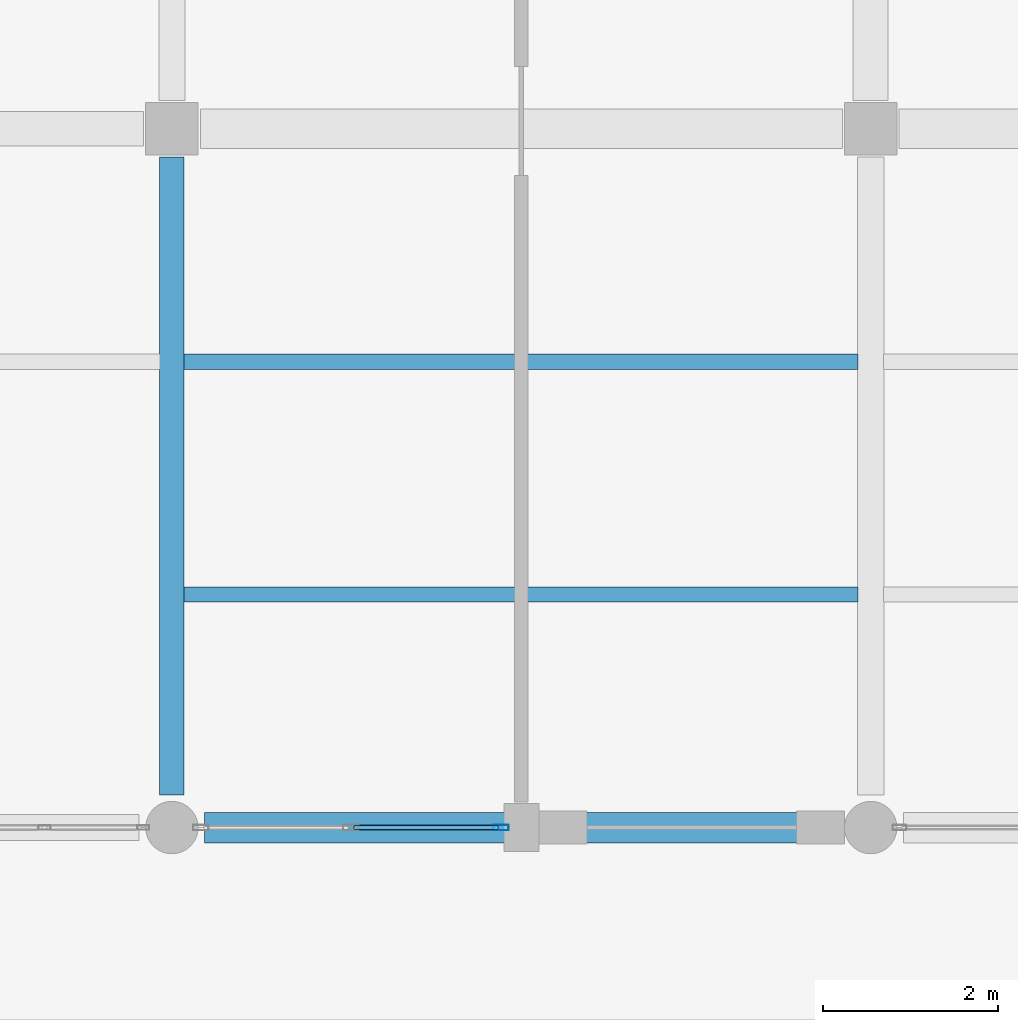
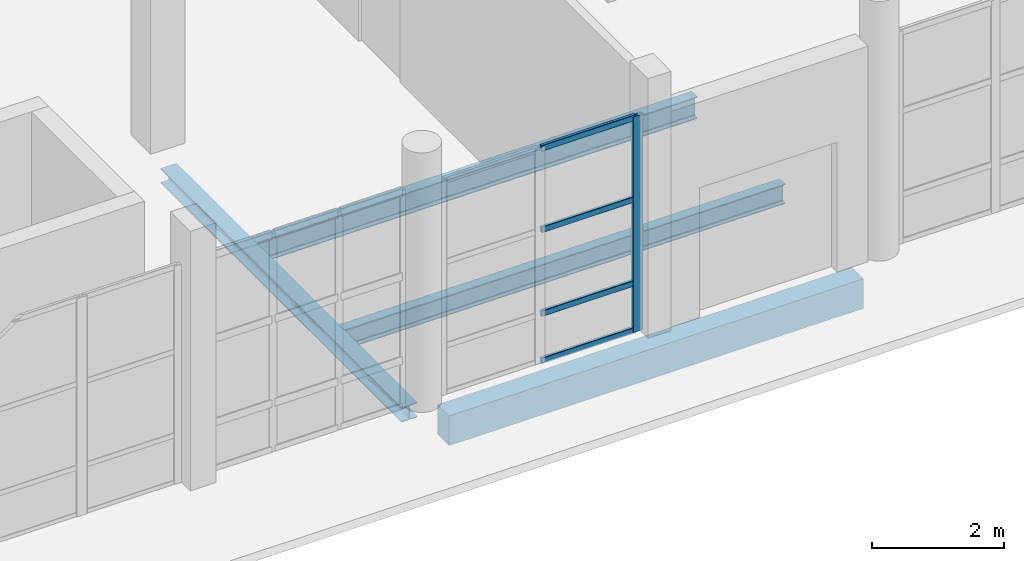
# One storey, part 59 of 156: 5 members, 4 beams, 1 element without a shape of its own.
"""IFC4 building model written with IfcOpenShell, lengths in metres."""

from ifc_helpers import new_model, si_unit, direction, frame, origin, origin_2d, place, context, subcontext, project, spatial, rectangle, hollow_rectangle, i_section, extrude, material, material_profile, profile_set, type_object, element, aggregate, save


model = new_model("IFC4")

# Units and contexts
model_context = context("Model", 3, precision=1e-05, world=origin(), true_north=direction((0.0, 1.0)))
body_context = subcontext(model_context, "Body", "Model", "MODEL_VIEW")
ifc_project = project(units=[si_unit("LENGTHUNIT", "METRE"), si_unit("AREAUNIT", "SQUARE_METRE"), si_unit("VOLUMEUNIT", "CUBIC_METRE"), si_unit("PLANEANGLEUNIT", "RADIAN"), si_unit("MASSUNIT", "GRAM", prefix="KILO")], contexts=[model_context])

# Site, building, storey
site_placement = place(None, origin())
site = spatial("IfcSite", under=ifc_project, at=site_placement, CompositionType="ELEMENT")
building_placement = place(site_placement, origin())
building = spatial("IfcBuilding", under=site, at=building_placement, Name="Luwemba Playhouse", CompositionType="ELEMENT")
storey_placement = place(building_placement, origin())
storey = spatial("IfcBuildingStorey", under=building, at=storey_placement, Name="L00", CompositionType="ELEMENT", Elevation=0.0)

# Beams
ifc_material_1 = material(Name="Steel S355", Category="steel")
ifc_material_profile_1 = material_profile(ifc_material_1, i_section(OverallWidth=0.280029296875, OverallDepth=0.27001953125, WebThickness=0.008056640625, FlangeThickness=0.012939453125, FilletRadius=0.02392578125, at=origin_2d()))
ifc_profile_set_1 = profile_set([ifc_material_profile_1], Name="Steel S355")
beam_type_1 = type_object("IfcBeamType", Name="BM-SB02", PredefinedType="BEAM", material=ifc_profile_set_1)
beam_1_placement = place(storey_placement, frame((140.0, 3.375, -0.43505859375), z_axis=(0.0, 1.0, 0.0), x_axis=(-1.0, 0.0, 0.0)))
element("IfcBeam", 1, at=beam_1_placement, inside=storey, type_object=beam_type_1, Name="L00 transverse girder 0239", PredefinedType="BEAM", context=body_context, shape_type="SweptSolid", body=[
    extrude(i_section(OverallWidth=0.280029296875, OverallDepth=0.27001953125, WebThickness=0.008056640625, FlangeThickness=0.012939453125, FilletRadius=0.02392578125, at=origin_2d()), origin(), (0.0, 0.0, 1.0), 7.300048828125),
])
ifc_material_profile_2 = material_profile(ifc_material_1, i_section(OverallWidth=0.169921875, OverallDepth=0.360107421875, WebThickness=0.008056640625, FlangeThickness=0.0126953125, FilletRadius=0.01806640625, at=origin_2d()))
ifc_profile_set_2 = profile_set([ifc_material_profile_2], Name="Steel S355")
beam_type_2 = type_object("IfcBeamType", Name="BM-SJ07", PredefinedType="JOIST", material=ifc_profile_set_2)
beam_2_placement = place(storey_placement, frame((140.135986328125, 5.666748046875, -0.47998046875), z_axis=(1.0, 0.0, 0.0), x_axis=(0.0, 1.0, 0.0)))
element("IfcBeam", 2, at=beam_2_placement, inside=storey, type_object=beam_type_2, Name="L00 composite floor joist 0171", PredefinedType="JOIST", context=body_context, shape_type="SweptSolid", body=[
    extrude(i_section(OverallWidth=0.169921875, OverallDepth=0.360107421875, WebThickness=0.008056640625, FlangeThickness=0.0126953125, FilletRadius=0.01806640625, at=origin_2d()), origin(), (0.0, 0.0, 1.0), 7.718017578125),
])
ifc_material_profile_3 = material_profile(ifc_material_1, i_section(OverallWidth=0.179931640625, OverallDepth=0.39990234375, WebThickness=0.008544921875, FlangeThickness=0.013427734375, FilletRadius=0.02099609375, at=origin_2d()))
ifc_profile_set_3 = profile_set([ifc_material_profile_3], Name="Steel S355")
beam_type_3 = type_object("IfcBeamType", Name="BM-SJ08", PredefinedType="JOIST", material=ifc_profile_set_3)
beam_3_placement = place(storey_placement, frame((140.135986328125, 8.333251953125, -0.5), z_axis=(1.0, 0.0, 0.0), x_axis=(0.0, 1.0, 0.0)))
element("IfcBeam", 3, at=beam_3_placement, inside=storey, type_object=beam_type_3, Name="L00 composite floor joist 0172", PredefinedType="JOIST", context=body_context, shape_type="SweptSolid", body=[
    extrude(i_section(OverallWidth=0.179931640625, OverallDepth=0.39990234375, WebThickness=0.008544921875, FlangeThickness=0.013427734375, FilletRadius=0.02099609375, at=origin_2d()), origin(), (0.0, 0.0, 1.0), 7.718017578125),
])
ifc_material_2 = material(Name="Concrete C40/50", Category="concrete")
ifc_material_profile_4 = material_profile(ifc_material_2, rectangle(XDim=0.35009765625, YDim=0.550048828125, at=origin_2d()))
ifc_profile_set_4 = profile_set([ifc_material_profile_4], Name="Concrete C40/50")
beam_type_4 = type_object("IfcBeamType", Name="BM-SP2", PredefinedType="SPANDREL", material=ifc_profile_set_4)
beam_4_placement = place(storey_placement, frame((140.375, 3.0, -0.574951171875), z_axis=(1.0, 0.0, 0.0), x_axis=(0.0, 1.0, 0.0)))
element("IfcBeam", 4, at=beam_4_placement, inside=storey, type_object=beam_type_4, Name="L00 grid girder 0205", PredefinedType="SPANDREL", context=body_context, shape_type="SweptSolid", body=[
    extrude(rectangle(XDim=0.35009765625, YDim=0.550048828125, at=origin_2d()), origin(), (0.0, 0.0, 1.0), 7.25),
])

# Curtain wall, members
ifc_material_3 = material(Name="Solar-control double glazing", Category="glass")
curtain_wall_type = type_object("IfcCurtainWallType", Name="CW-CW64", PredefinedType="USERDEFINED", material=ifc_material_3)
curtain_wall_placement = place(storey_placement, origin())
curtain_wall = element("IfcCurtainWall", 5, at=curtain_wall_placement, inside=storey, type_object=curtain_wall_type, Name="L00 V5E unitised curtain wall 076", ObjectType="UNITISED GLAZING", PredefinedType="USERDEFINED")
ifc_material_4 = material(Name="Aluminium 6063-T6", Category="aluminium")
ifc_material_profile_5 = material_profile(ifc_material_4, hollow_rectangle(XDim=0.06494140625, YDim=0.179931640625, WallThickness=0.00439453125, InnerFilletRadius=0.0068359375, OuterFilletRadius=0.01123046875, at=origin_2d()))
ifc_profile_set_5 = profile_set([ifc_material_profile_5], Name="Aluminium 6063-T6")
member_type_1 = type_object("IfcMemberType", Name="CWM-M2", PredefinedType="MULLION", material=ifc_profile_set_5)
member_1_placement = place(storey_placement, frame((143.767578125, 3.0, 0.0), z_axis=(0.0, 0.0, 1.0), x_axis=(0.0, -1.0, 0.0)))
member_1 = element("IfcMember", 6, at=member_1_placement, type_object=member_type_1, Name="CW64 mullion 1", PredefinedType="MULLION", context=body_context, shape_type="SweptSolid", body=[
    extrude(hollow_rectangle(XDim=0.06494140625, YDim=0.179931640625, WallThickness=0.00439453125, InnerFilletRadius=0.0068359375, OuterFilletRadius=0.01123046875, at=origin_2d()), origin(), (0.0, 0.0, 1.0), 3.985107421875),
])
ifc_material_profile_6 = material_profile(ifc_material_4, hollow_rectangle(XDim=0.054931640625, YDim=0.110107421875, WallThickness=0.00341796875, InnerFilletRadius=0.00537109375, OuterFilletRadius=0.0087890625, at=origin_2d()))
ifc_profile_set_6 = profile_set([ifc_material_profile_6], Name="Aluminium 6063-T6")
member_type_2 = type_object("IfcMemberType", Name="CWT-T2", PredefinedType="USERDEFINED", material=ifc_profile_set_6)
member_2_placement = place(storey_placement, frame((143.735107421875, 3.0, 0.027587890625), z_axis=(-1.0, 0.0, 0.0), x_axis=(0.0, -1.0, 0.0)))
member_2 = element("IfcMember", 7, at=member_2_placement, type_object=member_type_2, Name="CW64 transom 1.1", ObjectType="TRANSOM", PredefinedType="USERDEFINED", context=body_context, shape_type="SweptSolid", body=[
    extrude(hollow_rectangle(XDim=0.054931640625, YDim=0.110107421875, WallThickness=0.00341796875, InnerFilletRadius=0.00537109375, OuterFilletRadius=0.0087890625, at=origin_2d()), origin(), (0.0, 0.0, 1.0), 1.652587890625),
])
member_3_placement = place(storey_placement, frame((143.735107421875, 3.0, 0.89990234375), z_axis=(-1.0, 0.0, 0.0), x_axis=(0.0, -1.0, 0.0)))
member_3 = element("IfcMember", 8, at=member_3_placement, type_object=member_type_2, Name="CW64 transom 1.2", ObjectType="TRANSOM", PredefinedType="USERDEFINED", context=body_context, shape_type="SweptSolid", body=[
    extrude(hollow_rectangle(XDim=0.054931640625, YDim=0.110107421875, WallThickness=0.00341796875, InnerFilletRadius=0.00537109375, OuterFilletRadius=0.0087890625, at=origin_2d()), origin(), (0.0, 0.0, 1.0), 1.652587890625),
])
member_4_placement = place(storey_placement, frame((143.735107421875, 3.0, 2.449951171875), z_axis=(-1.0, 0.0, 0.0), x_axis=(0.0, -1.0, 0.0)))
member_4 = element("IfcMember", 9, at=member_4_placement, type_object=member_type_2, Name="CW64 transom 1.3", ObjectType="TRANSOM", PredefinedType="USERDEFINED", context=body_context, shape_type="SweptSolid", body=[
    extrude(hollow_rectangle(XDim=0.054931640625, YDim=0.110107421875, WallThickness=0.00341796875, InnerFilletRadius=0.00537109375, OuterFilletRadius=0.0087890625, at=origin_2d()), origin(), (0.0, 0.0, 1.0), 1.652587890625),
])
member_5_placement = place(storey_placement, frame((143.735107421875, 3.0, 3.95751953125), z_axis=(-1.0, 0.0, 0.0), x_axis=(0.0, -1.0, 0.0)))
member_5 = element("IfcMember", 10, at=member_5_placement, type_object=member_type_2, Name="CW64 transom 1.4", ObjectType="TRANSOM", PredefinedType="USERDEFINED", context=body_context, shape_type="SweptSolid", body=[
    extrude(hollow_rectangle(XDim=0.054931640625, YDim=0.110107421875, WallThickness=0.00341796875, InnerFilletRadius=0.00537109375, OuterFilletRadius=0.0087890625, at=origin_2d()), origin(), (0.0, 0.0, 1.0), 1.652587890625),
])
aggregate(curtain_wall, [member_1, member_2, member_3, member_4, member_5])

save(model, "model.ifc")
